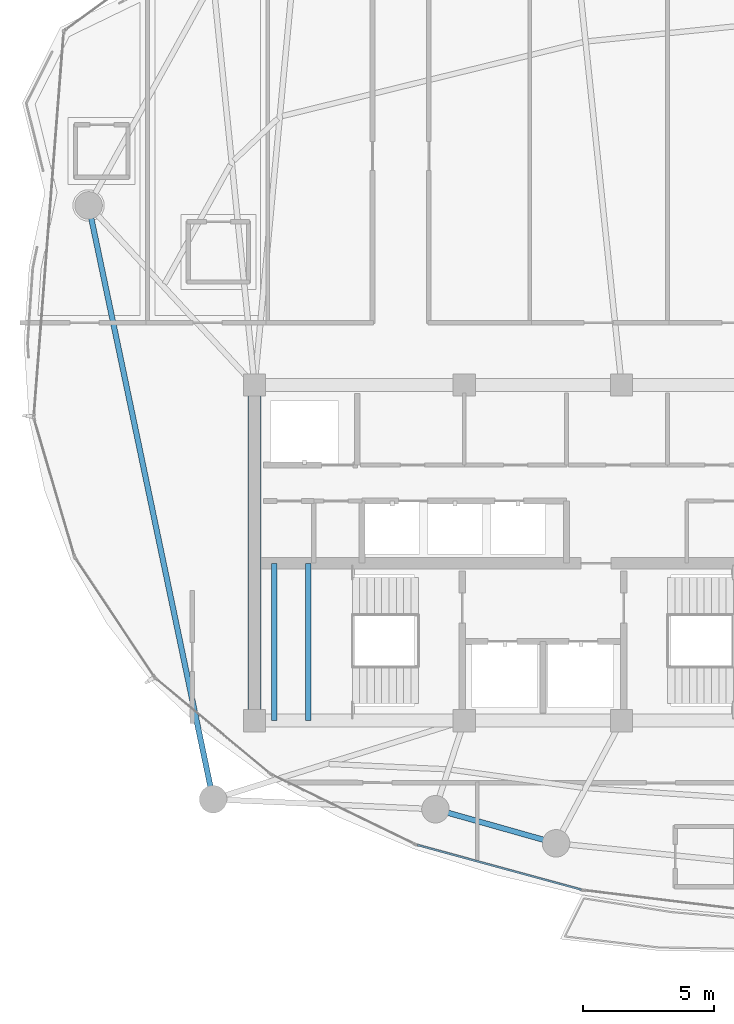
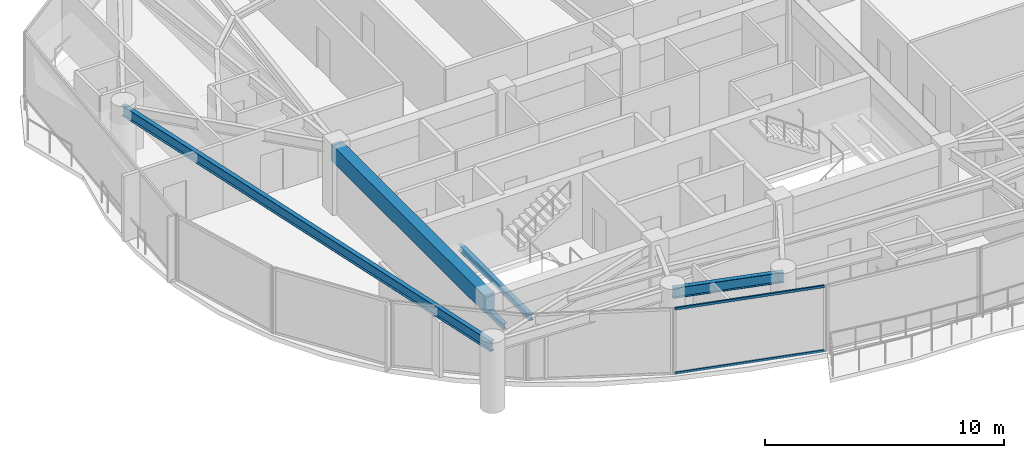
# One storey, part 4 of 31: 5 beams, 2 members, 1 element without a shape of its own.
"""IFC4 building model written with IfcOpenShell, lengths in metres."""

from ifc_helpers import new_model, si_unit, direction, frame, origin, origin_2d, place, context, subcontext, project, spatial, rectangle, hollow_rectangle, i_section, extrude, material, layer, layer_set, material_profile, profile_set, type_object, element, aggregate, save


model = new_model("IFC4")

# Units and contexts
model_context = context("Model", 3, precision=1e-05, world=origin(), true_north=direction((0.0, 1.0)))
body_context = subcontext(model_context, "Body", "Model", "MODEL_VIEW")
ifc_project = project(units=[si_unit("LENGTHUNIT", "METRE"), si_unit("AREAUNIT", "SQUARE_METRE"), si_unit("VOLUMEUNIT", "CUBIC_METRE"), si_unit("PLANEANGLEUNIT", "RADIAN"), si_unit("MASSUNIT", "GRAM", prefix="KILO")], contexts=[model_context])

# Site, building, storey
site_placement = place(None, origin())
site = spatial("IfcSite", under=ifc_project, at=site_placement, CompositionType="ELEMENT")
building_placement = place(site_placement, origin())
building = spatial("IfcBuilding", under=site, at=building_placement, Name="Kazevale Care Tower and Concert Hall", CompositionType="ELEMENT")
storey_placement = place(building_placement, frame((0.0, 0.0, 235.199951171875)))
storey = spatial("IfcBuildingStorey", under=building, at=storey_placement, Name="L62", CompositionType="ELEMENT", Elevation=235.199951171875)

# Curtain wall, members
ifc_material_1 = material(Name="Aluminium 6063-T6 and Low-E Glass", Category="aluminium")
ifc_layer = layer(ifc_material_1, 0.179931640625)
ifc_layer_set = layer_set([ifc_layer], Name="Aluminium 6063-T6 and Low-E Glass")
curtain_wall_type = type_object("IfcCurtainWallType", Name="Sheltered Concave Balcony Curtain Wall CW-5", PredefinedType="NOTDEFINED", material=ifc_layer_set)
curtain_wall_placement = place(storey_placement, origin())
curtain_wall = element("IfcCurtainWall", 1, at=curtain_wall_placement, inside=storey, type_object=curtain_wall_type, Name="cw:L62:f08", PredefinedType="NOTDEFINED")
ifc_material_2 = material(Name="Aluminium 6063-T6", Category="aluminium")
ifc_material_profile_1 = material_profile(ifc_material_2, hollow_rectangle(XDim=0.074951171875, YDim=0.1201171875, WallThickness=0.00390625, at=origin_2d()), Name="ALU75x120x4")
ifc_profile_set_1 = profile_set([ifc_material_profile_1], Name="Aluminium 6063-T6")
member_type = type_object("IfcMemberType", Name="CW-5 Transom ALU75x120x4", PredefinedType="USERDEFINED", material=ifc_profile_set_1)
member_1_placement = place(storey_placement, frame((34.458740234375, 17.15283203125, 0.03759765625), z_axis=(-0.964843890632, 0.262823641842, 0.0), x_axis=(-0.262823641842, -0.964843890632, 0.0)))
member_1 = element("IfcMember", 2, at=member_1_placement, type_object=member_type, Name="CW-5 transom 1.1", ObjectType="TRANSOM", PredefinedType="USERDEFINED", context=body_context, shape_type="SweptSolid", body=[
    extrude(hollow_rectangle(XDim=0.074951171875, YDim=0.1201171875, WallThickness=0.00390625, at=origin_2d()), origin(), (0.0, 0.0, 1.0), 6.469970703125),
])
member_2_placement = place(storey_placement, frame((34.458740234375, 17.15283203125, 3.322509765625), z_axis=(-0.964843890632, 0.262823641842, 0.0), x_axis=(-0.262823641842, -0.964843890632, 0.0)))
member_2 = element("IfcMember", 3, at=member_2_placement, type_object=member_type, Name="CW-5 transom 1.2", ObjectType="TRANSOM", PredefinedType="USERDEFINED", context=body_context, shape_type="SweptSolid", body=[
    extrude(hollow_rectangle(XDim=0.074951171875, YDim=0.1201171875, WallThickness=0.00390625, at=origin_2d()), origin(), (0.0, 0.0, 1.0), 6.469970703125),
])
aggregate(curtain_wall, [member_1, member_2])

# Beams
ifc_material_3 = material(Name="Concrete C60", Category="concrete")
ifc_material_profile_2 = material_profile(ifc_material_3, rectangle(XDim=0.5, YDim=0.85009765625, at=origin_2d()), Name="RC-B500x850")
ifc_profile_set_2 = profile_set([ifc_material_profile_2], Name="Concrete C60")
beam_type_1 = type_object("IfcBeamType", Name="Core Coupling Beam RC500x850", PredefinedType="LINTEL", material=ifc_profile_set_2)
beam_1_placement = place(storey_placement, frame((22.0, 36.39990234375, 2.93505859375), z_axis=(0.0, -1.0, 0.0), x_axis=(1.0, 0.0, 0.0)))
element("IfcBeam", 4, at=beam_1_placement, inside=storey, type_object=beam_type_1, Name="beam:L62:coretie:8", PredefinedType="LINTEL", context=body_context, shape_type="SweptSolid", body=[
    extrude(rectangle(XDim=0.5, YDim=0.85009765625, at=origin_2d()), origin(), (0.0, 0.0, 1.0), 12.7998046875),
])
ifc_material_4 = material(Name="Steel ASTM A572 Gr 50", Category="steel")
ifc_material_profile_3 = material_profile(ifc_material_4, i_section(OverallWidth=0.202880859375, OverallDepth=0.302978515625, WebThickness=0.007568359375, FlangeThickness=0.01318359375, at=origin_2d()), Name="W310x60")
ifc_profile_set_3 = profile_set([ifc_material_profile_3], Name="Steel ASTM A572 Gr 50")
beam_type_2 = type_object("IfcBeamType", Name="Stair & Balcony Trimmer W310x60", PredefinedType="BEAM", material=ifc_profile_set_3)
for number, where, z_axis, x_axis, name in (
    (5, (22.75, 23.60009765625, 1.448486328125), (0.0, 1.0, 0.0), (-1.0, 0.0, 0.0), "beam:L62:sttrim:ST1"),
    (6, (24.050048828125, 23.60009765625, 1.448486328125), (0.0, 1.0, 0.0), (-1.0, 0.0, 0.0), "beam:L62:sttrim:ST1b"),
):
    element("IfcBeam", number, at=place(storey_placement, frame(where, z_axis=z_axis, x_axis=x_axis)), inside=storey, type_object=beam_type_2, Name=name, PredefinedType="BEAM", context=body_context, shape_type="SweptSolid", body=[
        extrude(i_section(OverallWidth=0.202880859375, OverallDepth=0.302978515625, WebThickness=0.007568359375, FlangeThickness=0.01318359375, at=origin_2d()), origin(), (0.0, 0.0, 1.0), 6.0),
    ])
ifc_material_profile_4 = material_profile(ifc_material_4, i_section(OverallWidth=0.208984375, OverallDepth=0.532958984375, WebThickness=0.01025390625, FlangeThickness=0.015625, at=origin_2d()), Name="W530x92")
ifc_profile_set_4 = profile_set([ifc_material_profile_4], Name="Steel ASTM A572 Gr 50")
beam_type_3 = type_object("IfcBeamType", Name="Upper Ring Beam W530x92", PredefinedType="BEAM", material=ifc_profile_set_4)
beam_2_placement = place(storey_placement, frame((15.669921875, 43.25, 3.093505859375), z_axis=(0.205249071222, -0.978709772488, 0.0), x_axis=(0.978709772488, 0.205249071222, 0.0)))
element("IfcBeam", 7, at=beam_2_placement, inside=storey, type_object=beam_type_3, Name="beam:L62:ring:09", PredefinedType="BEAM", context=body_context, shape_type="SweptSolid", body=[
    extrude(i_section(OverallWidth=0.208984375, OverallDepth=0.532958984375, WebThickness=0.01025390625, FlangeThickness=0.015625, at=origin_2d()), origin(), (0.0, 0.0, 1.0), 23.142578125),
])
beam_3_placement = place(storey_placement, frame((28.89990234375, 20.219970703125, 3.093505859375), z_axis=(0.962308240836, -0.271961117846, 0.0), x_axis=(0.271961117846, 0.962308240836, 0.0)))
element("IfcBeam", 8, at=beam_3_placement, inside=storey, type_object=beam_type_3, Name="beam:L62:ring:11", PredefinedType="BEAM", context=body_context, shape_type="SweptSolid", body=[
    extrude(i_section(OverallWidth=0.208984375, OverallDepth=0.532958984375, WebThickness=0.01025390625, FlangeThickness=0.015625, at=origin_2d()), origin(), (0.0, 0.0, 1.0), 4.7802734375),
])

save(model, "model.ifc")
